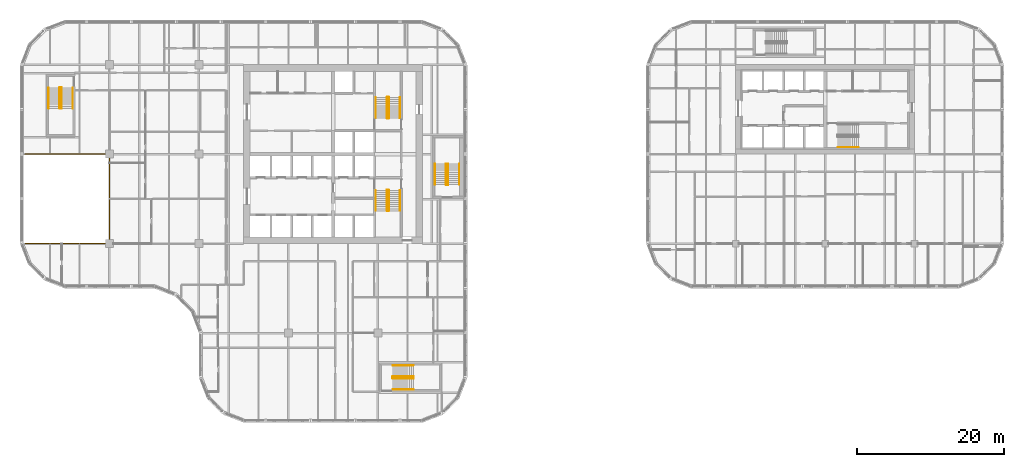
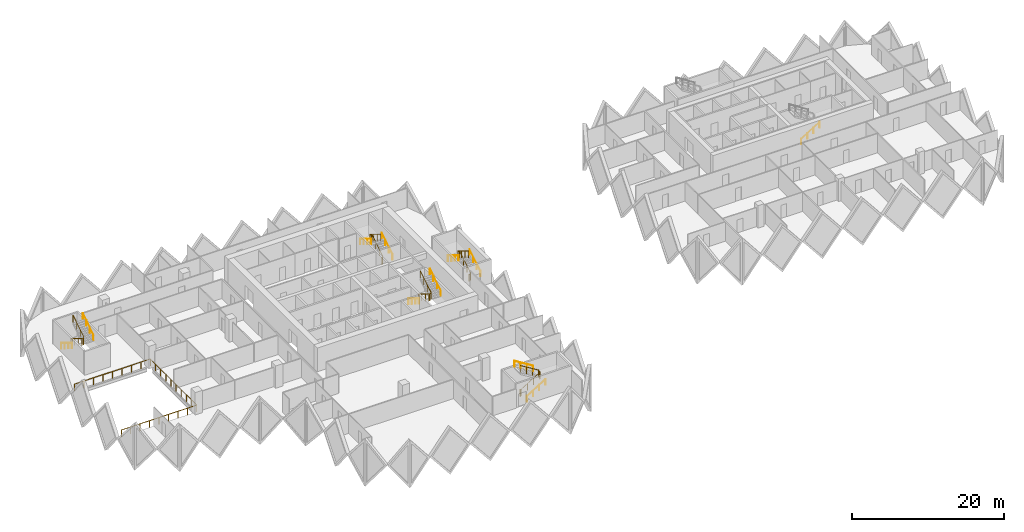
# One storey, part 18 of 19: 17 railings.
"""IFC4 building model written with IfcOpenShell, lengths in metres."""

import ifcopenshell
import ifcopenshell.guid

model = None  # the IFC model being written
_history = None  # IfcOwnerHistory: only IFC2X3 demands one
_inside = {}  # id of a spatial element -> (the spatial element, [elements in it])
_under = {}  # id of a project, library or spatial element -> (it, [spatial elements below it])
_declared = {}  # id of a project -> (the project, [libraries it declares])
_typed = {}  # id of a type object -> (the type object, [elements of that type])
_made_of = {}  # id of a material, layer set ... -> (it, [elements and type objects made of it])


def new_model(schema):
    """Start an empty IFC model of exactly this schema.

    Asked for "IFC4X3", IfcOpenShell would pick the latest addendum, in which some entities
    have other attributes; the version numbers below select the first issue.
    IFC2X3 requires an IfcOwnerHistory on every rooted entity: one is made here for all.
    """
    global model, _history
    if schema == "IFC4X3":
        model = ifcopenshell.file(schema_version=(4, 3, 0, 0))
    else:
        model = ifcopenshell.file(schema=schema)
    _inside.clear()
    _under.clear()
    _declared.clear()
    _typed.clear()
    _made_of.clear()
    _history = None
    if model.schema == "IFC2X3":
        org = make("IfcOrganization", Name="unknown")
        user = make(
            "IfcPersonAndOrganization",
            ThePerson=make("IfcPerson", FamilyName="unknown"),
            TheOrganization=org,
        )
        app = make(
            "IfcApplication",
            ApplicationDeveloper=org,
            Version="unknown",
            ApplicationFullName="unknown",
            ApplicationIdentifier="unknown",
        )
        _history = make(
            "IfcOwnerHistory",
            OwningUser=user,
            OwningApplication=app,
            ChangeAction="ADDED",
            CreationDate=0,
        )
    return model


def make(cls, **values):
    """One entity of the class cls with the attributes given. An attribute that is None is left unset."""
    return model.create_entity(
        cls, **{name: value for name, value in values.items() if value is not None}
    )


def rooted(cls, **values):
    """An entity with a GlobalId (a new one), such as an element, a storey or a relation."""
    return make(cls, GlobalId=ifcopenshell.guid.new(), OwnerHistory=_history, **values)


def si_unit(unit_type, name, prefix=None):
    """IfcSIUnit, for example si_unit("LENGTHUNIT", "METRE", prefix="MILLI")."""
    return make("IfcSIUnit", UnitType=unit_type, Prefix=prefix, Name=name)


def assignment(units):
    """IfcUnitAssignment: the units of a project."""
    return None if units is None else make("IfcUnitAssignment", Units=units)


def point(xyz):
    """IfcCartesianPoint."""
    return None if xyz is None else make("IfcCartesianPoint", Coordinates=xyz)


def direction(xyz):
    """IfcDirection."""
    return None if xyz is None else make("IfcDirection", DirectionRatios=xyz)


def frame(location, z_axis=None, x_axis=None):
    """IfcAxis2Placement3D, a coordinate frame: its origin and axes. An axis left out is left unset."""
    return make(
        "IfcAxis2Placement3D",
        Location=point(location),
        Axis=direction(z_axis),
        RefDirection=direction(x_axis),
    )


def frame_2d(location, x_axis=None):
    """IfcAxis2Placement2D, a coordinate frame in the plane: its origin and x axis."""
    return make(
        "IfcAxis2Placement2D", Location=point(location), RefDirection=direction(x_axis)
    )


def origin():
    """The frame at (0, 0, 0) with its axes left unset."""
    return frame((0.0, 0.0, 0.0))


def origin_2d():
    """The frame at (0, 0) in the plane with its x axis left unset."""
    return frame_2d((0.0, 0.0))


def place(relative_to, where):
    """IfcLocalPlacement: puts the frame where relative to a parent placement (None: the world)."""
    return make(
        "IfcLocalPlacement", PlacementRelTo=relative_to, RelativePlacement=where
    )


def context(
    kind, dimensions, precision=None, world=None, true_north=None, identifier=None
):
    """IfcGeometricRepresentationContext, for example the 3D "Model" context."""
    return make(
        "IfcGeometricRepresentationContext",
        ContextIdentifier=identifier,
        ContextType=kind,
        CoordinateSpaceDimension=dimensions,
        Precision=precision,
        WorldCoordinateSystem=world,
        TrueNorth=true_north,
    )


def subcontext(parent, identifier, kind, view, scale=None):
    """IfcGeometricRepresentationSubContext, for example "Body" below "Model"."""
    return make(
        "IfcGeometricRepresentationSubContext",
        ContextIdentifier=identifier,
        ContextType=kind,
        ParentContext=parent,
        TargetScale=scale,
        TargetView=view,
    )


def project(units=None, contexts=None):
    """IfcProject with its units and contexts."""
    return rooted(
        "IfcProject",
        Name="project",
        RepresentationContexts=contexts,
        UnitsInContext=assignment(units),
    )


def spatial(cls, under=None, at=None, **own):
    """A site, building, storey or space (cls), placed at a placement, below another one or the project."""
    s = rooted(cls, ObjectPlacement=at, **own)
    if under is not None:
        _under.setdefault(under.id(), (under, []))[1].append(s)
    return s


def profile(cls, at=None, kind="AREA", **sizes):
    """A parametric profile (cls). Its sizes go by their IFC names, for example OverallWidth=200.0."""
    return make(cls, ProfileType=kind, Position=at, **sizes)


def circle(**sizes):
    """IfcCircleProfileDef."""
    return profile("IfcCircleProfileDef", **sizes)


def extrude(swept, where, along, depth):
    """IfcExtrudedAreaSolid: the profile swept, set in the frame where, extruded along a direction by depth."""
    return make(
        "IfcExtrudedAreaSolid",
        SweptArea=swept,
        Position=where,
        ExtrudedDirection=direction(along),
        Depth=depth,
    )


def shape(context_of_items, identifier, shape_type, items):
    """IfcShapeRepresentation: the items that make up one representation, for example the "Body"."""
    return make(
        "IfcShapeRepresentation",
        ContextOfItems=context_of_items,
        RepresentationIdentifier=identifier,
        RepresentationType=shape_type,
        Items=items,
    )


def material(Name=None, Category=None):
    """IfcMaterial."""
    return make("IfcMaterial", Name=Name, Category=Category)


def made_of(thing, what):
    """Note that an element or type object is made of a material, layer set ...; save() writes the relation."""
    if what is not None:
        _made_of.setdefault(what.id(), (what, []))[1].append(thing)
    return thing


def type_object(cls, material=None, **own):
    """A type object (cls), such as IfcWallType, which elements share."""
    return made_of(rooted(cls, **own), material)


def element(
    cls,
    number,
    at=None,
    inside=None,
    cuts=None,
    type_object=None,
    material=None,
    context=None,
    identifier="Body",
    shape_type=None,
    held_by="IfcProductDefinitionShape",
    body=None,
    shapes=None,
    **own,
):
    """One element of the class cls, such as IfcWall. Its Tag is "e" and its number.

    at: its placement. inside: the storey or other place that contains it. cuts: it is an
    opening in that element (IfcRelVoidsElement). A single representation is given by context,
    identifier, shape_type and body (its items); several are given by shapes. held_by: the class
    of the entity that holds the representations. save() writes the other relations.
    """
    e = rooted(cls, Tag="e%d" % number, ObjectPlacement=at, **own)
    if body is not None:
        shapes = [shape(context, identifier, shape_type, body)]
    if shapes is not None:
        e.Representation = make(held_by, Representations=shapes)
    if inside is not None:
        _inside.setdefault(inside.id(), (inside, []))[1].append(e)
    if cuts is not None:
        rooted(
            "IfcRelVoidsElement", RelatingBuildingElement=cuts, RelatedOpeningElement=e
        )
    if type_object is not None:
        _typed.setdefault(type_object.id(), (type_object, []))[1].append(e)
    return made_of(e, material)


def aggregate(whole, parts):
    """IfcRelAggregates: a whole, such as a stair, and the parts it consists of."""
    return rooted("IfcRelAggregates", RelatingObject=whole, RelatedObjects=parts)


def save(model, path):
    """Write the relations noted so far, then the file.

    IfcRelAggregates (storeys below a building ...), IfcRelContainedInSpatialStructure (elements
    in a storey), IfcRelDefinesByType, IfcRelAssociatesMaterial and IfcRelDeclares: one each for
    every whole, place, type object, material and project.
    """
    for whole, parts in _under.values():
        aggregate(whole, parts)
    for where, things in _inside.values():
        rooted(
            "IfcRelContainedInSpatialStructure",
            RelatedElements=things,
            RelatingStructure=where,
        )
    for kind, things in _typed.values():
        rooted("IfcRelDefinesByType", RelatedObjects=things, RelatingType=kind)
    for what, things in _made_of.values():
        rooted("IfcRelAssociatesMaterial", RelatedObjects=things, RelatingMaterial=what)
    for by, libraries in _declared.values():
        rooted("IfcRelDeclares", RelatingContext=by, RelatedDefinitions=libraries)
    model.write(path)


model = new_model("IFC4")

# Units and contexts
model_context = context("Model", 3, precision=1e-05, world=origin(), true_north=direction((0.0, 1.0)))
body_context = subcontext(model_context, "Body", "Model", "MODEL_VIEW")
ifc_project = project(units=[si_unit("LENGTHUNIT", "METRE"), si_unit("AREAUNIT", "SQUARE_METRE"), si_unit("VOLUMEUNIT", "CUBIC_METRE"), si_unit("PLANEANGLEUNIT", "RADIAN"), si_unit("MASSUNIT", "GRAM", prefix="KILO")], contexts=[model_context])

# Site, building, storey
site_placement = place(None, origin())
site = spatial("IfcSite", under=ifc_project, at=site_placement, CompositionType="ELEMENT")
building_placement = place(site_placement, origin())
building = spatial("IfcBuilding", under=site, at=building_placement, Name="Tessera Gate Towers", CompositionType="ELEMENT")
storey_placement = place(building_placement, frame((0.0, 0.0, 33.39990234375)))
storey = spatial("IfcBuildingStorey", under=building, at=storey_placement, Name="L07", CompositionType="ELEMENT", Elevation=33.39990234375)

# Railings
ifc_material_1 = material(Name="Toughened glass with stainless steel handrail", Category="steel")
railing_type_1 = type_object("IfcRailingType", Name="GUARD 1100 GLASS BALUSTRADE", PredefinedType="GUARDRAIL", material=ifc_material_1)
railing_1_placement = place(storey_placement, frame((0.750244140625, 24.39990234375, 0.0)))
element("IfcRailing", 1, at=railing_1_placement, inside=storey, type_object=railing_type_1, Name="Guard", PredefinedType="GUARDRAIL", context=body_context, shape_type="SweptSolid", body=[
    extrude(circle(Radius=0.02490234375, at=origin_2d()), frame((0.0, 0.0, 1.0751953125), z_axis=(1.0, 0.0, 0.0), x_axis=(0.0, 1.0, 0.0)), (0.0, 0.0, 1.0), 11.44970703125),
    extrude(circle(Radius=0.02490234375, at=origin_2d()), frame((11.44970703125, 0.0, 1.0751953125), z_axis=(0.0, 1.0, 0.0), x_axis=(-1.0, 0.0, 0.0)), (0.0, 0.0, 1.0), 12.2001953125),
    extrude(circle(Radius=0.02490234375, at=origin_2d()), frame((11.44970703125, 12.2001953125, 1.0751953125), z_axis=(-1.0, 0.0, 0.0), x_axis=(0.0, -1.0, 0.0)), (0.0, 0.0, 1.0), 11.5),
    extrude(circle(Radius=0.02490234375, at=origin_2d()), origin(), (0.0, 0.0, 1.0), 1.050048828125),
    extrude(circle(Radius=0.02490234375, at=origin_2d()), frame((1.43115234375, 0.0, 0.0)), (0.0, 0.0, 1.0), 1.050048828125),
    extrude(circle(Radius=0.02490234375, at=origin_2d()), frame((2.8623046875, 0.0, 0.0)), (0.0, 0.0, 1.0), 1.050048828125),
    extrude(circle(Radius=0.02490234375, at=origin_2d()), frame((4.293701171875, 0.0, 0.0)), (0.0, 0.0, 1.0), 1.050048828125),
    extrude(circle(Radius=0.02490234375, at=origin_2d()), frame((5.724853515625, 0.0, 0.0)), (0.0, 0.0, 1.0), 1.050048828125),
    extrude(circle(Radius=0.02490234375, at=origin_2d()), frame((7.156005859375, 0.0, 0.0)), (0.0, 0.0, 1.0), 1.050048828125),
    extrude(circle(Radius=0.02490234375, at=origin_2d()), frame((8.58740234375, 0.0, 0.0)), (0.0, 0.0, 1.0), 1.050048828125),
    extrude(circle(Radius=0.02490234375, at=origin_2d()), frame((10.0185546875, 0.0, 0.0)), (0.0, 0.0, 1.0), 1.050048828125),
    extrude(circle(Radius=0.02490234375, at=origin_2d()), frame((11.44970703125, 0.0, 0.0)), (0.0, 0.0, 1.0), 1.050048828125),
    extrude(circle(Radius=0.02490234375, at=origin_2d()), frame((11.44970703125, 1.35546875, 0.0)), (0.0, 0.0, 1.0), 1.050048828125),
    extrude(circle(Radius=0.02490234375, at=origin_2d()), frame((11.44970703125, 2.711181640625, 0.0)), (0.0, 0.0, 1.0), 1.050048828125),
    extrude(circle(Radius=0.02490234375, at=origin_2d()), frame((11.44970703125, 4.066650390625, 0.0)), (0.0, 0.0, 1.0), 1.050048828125),
    extrude(circle(Radius=0.02490234375, at=origin_2d()), frame((11.44970703125, 5.42236328125, 0.0)), (0.0, 0.0, 1.0), 1.050048828125),
    extrude(circle(Radius=0.02490234375, at=origin_2d()), frame((11.44970703125, 6.77783203125, 0.0)), (0.0, 0.0, 1.0), 1.050048828125),
    extrude(circle(Radius=0.02490234375, at=origin_2d()), frame((11.44970703125, 8.133544921875, 0.0)), (0.0, 0.0, 1.0), 1.050048828125),
    extrude(circle(Radius=0.02490234375, at=origin_2d()), frame((11.44970703125, 9.489013671875, 0.0)), (0.0, 0.0, 1.0), 1.050048828125),
    extrude(circle(Radius=0.02490234375, at=origin_2d()), frame((11.44970703125, 10.8447265625, 0.0)), (0.0, 0.0, 1.0), 1.050048828125),
    extrude(circle(Radius=0.02490234375, at=origin_2d()), frame((11.44970703125, 12.2001953125, 0.0)), (0.0, 0.0, 1.0), 1.050048828125),
    extrude(circle(Radius=0.02490234375, at=origin_2d()), frame((10.01220703125, 12.2001953125, 0.0)), (0.0, 0.0, 1.0), 1.050048828125),
    extrude(circle(Radius=0.02490234375, at=origin_2d()), frame((8.57470703125, 12.2001953125, 0.0)), (0.0, 0.0, 1.0), 1.050048828125),
    extrude(circle(Radius=0.02490234375, at=origin_2d()), frame((7.13720703125, 12.2001953125, 0.0)), (0.0, 0.0, 1.0), 1.050048828125),
    extrude(circle(Radius=0.02490234375, at=origin_2d()), frame((5.69970703125, 12.2001953125, 0.0)), (0.0, 0.0, 1.0), 1.050048828125),
    extrude(circle(Radius=0.02490234375, at=origin_2d()), frame((4.26220703125, 12.2001953125, 0.0)), (0.0, 0.0, 1.0), 1.050048828125),
    extrude(circle(Radius=0.02490234375, at=origin_2d()), frame((2.82470703125, 12.2001953125, 0.0)), (0.0, 0.0, 1.0), 1.050048828125),
    extrude(circle(Radius=0.02490234375, at=origin_2d()), frame((1.38720703125, 12.2001953125, 0.0)), (0.0, 0.0, 1.0), 1.050048828125),
    extrude(circle(Radius=0.02490234375, at=origin_2d()), frame((-0.05029296875, 12.2001953125, 0.0)), (0.0, 0.0, 1.0), 1.050048828125),
])
ifc_material_2 = material(Name="Steel 350W", Category="steel")
railing_type_2 = type_object("IfcRailingType", Name="STAIR GUARD 1100", PredefinedType="GUARDRAIL", material=ifc_material_2)
railing_2_placement = place(storey_placement, frame((50.27490234375, 31.72509765625, 0.0)))
element("IfcRailing", 2, at=railing_2_placement, inside=storey, type_object=railing_type_2, Name="L07 ST1 stair guard 1", PredefinedType="GUARDRAIL", context=body_context, shape_type="SweptSolid", body=[
    extrude(circle(Radius=0.02392578125, at=origin_2d()), frame((0.0, 0.0, 1.076171875), z_axis=(-1.0, 0.0, 0.0), x_axis=(0.0, -1.0, 0.0)), (0.0, 0.0, 1.0), 0.199951171875),
    extrude(circle(Radius=0.02392578125, at=origin_2d()), frame((-0.199951171875, 0.0, 1.076171875), z_axis=(-0.267953482034, -0.267953482034, 0.925419830635), x_axis=(0.707106781187, -0.707106781187, 0.0)), (0.0, 0.0, 1.0), 0.186767578125),
    extrude(circle(Radius=0.02392578125, at=origin_2d()), frame((-0.25, -0.050048828125, 1.2490234375), z_axis=(0.0, -0.851089632645, 0.525020415988), x_axis=(1.0, 0.0, 0.0)), (0.0, 0.0, 1.0), 3.2900390625),
    extrude(circle(Radius=0.02392578125, at=origin_2d()), frame((-0.25, -2.85009765625, 2.97607421875), z_axis=(0.707106781187, -0.707106781187, 0.0), x_axis=(0.707106781187, 0.707106781187, 0.0)), (0.0, 0.0, 1.0), 0.07080078125),
    extrude(circle(Radius=0.02392578125, at=origin_2d()), frame((-0.199951171875, -2.900146484375, 2.97607421875), z_axis=(1.0, 0.0, 0.0), x_axis=(0.0, 1.0, 0.0)), (0.0, 0.0, 1.0), 0.199951171875),
    extrude(circle(Radius=0.02392578125, at=origin_2d()), frame((0.0, -2.900146484375, 2.97607421875), z_axis=(0.268277960024, 0.268277960024, 0.925231793839), x_axis=(-0.707106781187, 0.707106781187, 0.0)), (0.0, 0.0, 1.0), 0.1865234375),
    extrude(circle(Radius=0.02392578125, at=origin_2d()), frame((0.050048828125, -2.85009765625, 3.14892578125), z_axis=(0.0, 0.851089632645, 0.525020415988), x_axis=(-1.0, 0.0, 0.0)), (0.0, 0.0, 1.0), 3.2900390625),
    extrude(circle(Radius=0.02099609375, at=origin_2d()), origin(), (0.0, 0.0, 1.0), 1.052001953125),
    extrude(circle(Radius=0.02099609375, at=origin_2d()), frame((-0.199951171875, 0.0, 0.0)), (0.0, 0.0, 1.0), 1.052001953125),
    extrude(circle(Radius=0.02099609375, at=origin_2d()), frame((-0.25, -0.050048828125, 0.1728515625)), (0.0, 0.0, 1.0), 1.052001953125),
    extrude(circle(Radius=0.02099609375, at=origin_2d()), frame((-0.25, -0.9833984375, 0.74853515625)), (0.0, 0.0, 1.0), 1.052001953125),
    extrude(circle(Radius=0.02099609375, at=origin_2d()), frame((-0.25, -1.916748046875, 1.324462890625)), (0.0, 0.0, 1.0), 1.052001953125),
    extrude(circle(Radius=0.02099609375, at=origin_2d()), frame((-0.25, -2.85009765625, 1.900146484375)), (0.0, 0.0, 1.0), 1.052001953125),
    extrude(circle(Radius=0.02099609375, at=origin_2d()), frame((-0.199951171875, -2.900146484375, 1.900146484375)), (0.0, 0.0, 1.0), 1.052001953125),
    extrude(circle(Radius=0.02099609375, at=origin_2d()), frame((0.0, -2.900146484375, 1.900146484375)), (0.0, 0.0, 1.0), 1.052001953125),
    extrude(circle(Radius=0.02099609375, at=origin_2d()), frame((0.050048828125, -2.85009765625, 2.07275390625)), (0.0, 0.0, 1.0), 1.052001953125),
    extrude(circle(Radius=0.02099609375, at=origin_2d()), frame((0.050048828125, -1.916748046875, 2.6484375)), (0.0, 0.0, 1.0), 1.052001953125),
    extrude(circle(Radius=0.02099609375, at=origin_2d()), frame((0.050048828125, -0.9833984375, 3.224365234375)), (0.0, 0.0, 1.0), 1.052001953125),
    extrude(circle(Radius=0.02099609375, at=origin_2d()), frame((0.050048828125, -0.050048828125, 3.800048828125)), (0.0, 0.0, 1.0), 1.052001953125),
])
railing_3_placement = place(storey_placement, frame((50.074951171875, 41.47509765625, 0.0)))
element("IfcRailing", 3, at=railing_3_placement, inside=storey, type_object=railing_type_2, Name="L07 ST2 stair guard 1", PredefinedType="GUARDRAIL", context=body_context, shape_type="SweptSolid", body=[
    extrude(circle(Radius=0.02392578125, at=origin_2d()), frame((0.0, 0.0, 1.076171875), z_axis=(1.0, 0.0, 0.0), x_axis=(0.0, 1.0, 0.0)), (0.0, 0.0, 1.0), 0.199951171875),
    extrude(circle(Radius=0.02392578125, at=origin_2d()), frame((0.199951171875, 0.0, 1.076171875), z_axis=(0.268047150085, 0.266739603011, 0.925743328097), x_axis=(-0.705375805398, 0.708833529934, 0.0)), (0.0, 0.0, 1.0), 0.186767578125),
    extrude(circle(Radius=0.02392578125, at=origin_2d()), frame((0.25, 0.0498046875, 1.2490234375), z_axis=(0.0, 0.851089632645, 0.525020415988), x_axis=(-1.0, 0.0, 0.0)), (0.0, 0.0, 1.0), 3.2900390625),
    extrude(circle(Radius=0.02392578125, at=origin_2d()), frame((0.25, 2.849853515625, 2.97607421875), z_axis=(-0.707106781187, 0.707106781187, 0.0), x_axis=(-0.707106781187, -0.707106781187, 0.0)), (0.0, 0.0, 1.0), 0.07080078125),
    extrude(circle(Radius=0.02392578125, at=origin_2d()), frame((0.199951171875, 2.89990234375, 2.97607421875), z_axis=(-1.0, 0.0, 0.0), x_axis=(0.0, -1.0, 0.0)), (0.0, 0.0, 1.0), 0.199951171875),
    extrude(circle(Radius=0.02392578125, at=origin_2d()), frame((0.0, 2.89990234375, 2.97607421875), z_axis=(-0.268277960024, -0.268277960024, 0.925231793839), x_axis=(0.707106781187, -0.707106781187, 0.0)), (0.0, 0.0, 1.0), 0.1865234375),
    extrude(circle(Radius=0.02392578125, at=origin_2d()), frame((-0.050048828125, 2.849853515625, 3.14892578125), z_axis=(0.0, -0.851089632645, 0.525020415988), x_axis=(1.0, 0.0, 0.0)), (0.0, 0.0, 1.0), 3.2900390625),
    extrude(circle(Radius=0.02099609375, at=origin_2d()), origin(), (0.0, 0.0, 1.0), 1.052001953125),
    extrude(circle(Radius=0.02099609375, at=origin_2d()), frame((0.199951171875, 0.0, 0.0)), (0.0, 0.0, 1.0), 1.052001953125),
    extrude(circle(Radius=0.02099609375, at=origin_2d()), frame((0.25, 0.0498046875, 0.1728515625)), (0.0, 0.0, 1.0), 1.052001953125),
    extrude(circle(Radius=0.02099609375, at=origin_2d()), frame((0.25, 0.983154296875, 0.74853515625)), (0.0, 0.0, 1.0), 1.052001953125),
    extrude(circle(Radius=0.02099609375, at=origin_2d()), frame((0.25, 1.91650390625, 1.324462890625)), (0.0, 0.0, 1.0), 1.052001953125),
    extrude(circle(Radius=0.02099609375, at=origin_2d()), frame((0.25, 2.849853515625, 1.900146484375)), (0.0, 0.0, 1.0), 1.052001953125),
    extrude(circle(Radius=0.02099609375, at=origin_2d()), frame((0.199951171875, 2.89990234375, 1.900146484375)), (0.0, 0.0, 1.0), 1.052001953125),
    extrude(circle(Radius=0.02099609375, at=origin_2d()), frame((0.0, 2.89990234375, 1.900146484375)), (0.0, 0.0, 1.0), 1.052001953125),
    extrude(circle(Radius=0.02099609375, at=origin_2d()), frame((-0.050048828125, 2.849853515625, 2.07275390625)), (0.0, 0.0, 1.0), 1.052001953125),
    extrude(circle(Radius=0.02099609375, at=origin_2d()), frame((-0.050048828125, 1.91650390625, 2.6484375)), (0.0, 0.0, 1.0), 1.052001953125),
    extrude(circle(Radius=0.02099609375, at=origin_2d()), frame((-0.050048828125, 0.983154296875, 3.224365234375)), (0.0, 0.0, 1.0), 1.052001953125),
    extrude(circle(Radius=0.02099609375, at=origin_2d()), frame((-0.050048828125, 0.0498046875, 3.800048828125)), (0.0, 0.0, 1.0), 1.052001953125),
])
railing_4_placement = place(storey_placement, frame((5.64990234375, 45.699951171875, 0.0)))
element("IfcRailing", 4, at=railing_4_placement, inside=storey, type_object=railing_type_2, Name="L07 ST3 stair guard 1", PredefinedType="GUARDRAIL", context=body_context, shape_type="SweptSolid", body=[
    extrude(circle(Radius=0.02392578125, at=origin_2d()), frame((0.0, 0.0, 1.076171875), z_axis=(-1.0, 0.0, 0.0), x_axis=(0.0, -1.0, 0.0)), (0.0, 0.0, 1.0), 0.199951171875),
    extrude(circle(Radius=0.02392578125, at=origin_2d()), frame((-0.199951171875, 0.0, 1.076171875), z_axis=(-0.267953482034, -0.267953482034, 0.925419830635), x_axis=(0.707106781187, -0.707106781187, 0.0)), (0.0, 0.0, 1.0), 0.186767578125),
    extrude(circle(Radius=0.02392578125, at=origin_2d()), frame((-0.25, -0.050048828125, 1.2490234375), z_axis=(0.0, -0.851069175582, 0.525053576669), x_axis=(1.0, 0.0, 0.0)), (0.0, 0.0, 1.0), 3.289794921875),
    extrude(circle(Radius=0.02392578125, at=origin_2d()), frame((-0.25, -2.849853515625, 2.97607421875), z_axis=(0.707106781187, -0.707106781187, 0.0), x_axis=(0.707106781187, 0.707106781187, 0.0)), (0.0, 0.0, 1.0), 0.07080078125),
    extrude(circle(Radius=0.02392578125, at=origin_2d()), frame((-0.199951171875, -2.89990234375, 2.97607421875), z_axis=(1.0, 0.0, 0.0), x_axis=(0.0, 1.0, 0.0)), (0.0, 0.0, 1.0), 0.199951171875),
    extrude(circle(Radius=0.02392578125, at=origin_2d()), frame((0.0, -2.89990234375, 2.97607421875), z_axis=(0.268277960024, 0.268277960024, 0.925231793839), x_axis=(-0.707106781187, 0.707106781187, 0.0)), (0.0, 0.0, 1.0), 0.1865234375),
    extrude(circle(Radius=0.02392578125, at=origin_2d()), frame((0.050048828125, -2.849853515625, 3.14892578125), z_axis=(0.0, 0.851069175582, 0.525053576669), x_axis=(-1.0, 0.0, 0.0)), (0.0, 0.0, 1.0), 3.289794921875),
    extrude(circle(Radius=0.02099609375, at=origin_2d()), origin(), (0.0, 0.0, 1.0), 1.052001953125),
    extrude(circle(Radius=0.02099609375, at=origin_2d()), frame((-0.199951171875, 0.0, 0.0)), (0.0, 0.0, 1.0), 1.052001953125),
    extrude(circle(Radius=0.02099609375, at=origin_2d()), frame((-0.25, -0.050048828125, 0.1728515625)), (0.0, 0.0, 1.0), 1.052001953125),
    extrude(circle(Radius=0.02099609375, at=origin_2d()), frame((-0.25, -0.9833984375, 0.74853515625)), (0.0, 0.0, 1.0), 1.052001953125),
    extrude(circle(Radius=0.02099609375, at=origin_2d()), frame((-0.25, -1.91650390625, 1.324462890625)), (0.0, 0.0, 1.0), 1.052001953125),
    extrude(circle(Radius=0.02099609375, at=origin_2d()), frame((-0.25, -2.849853515625, 1.900146484375)), (0.0, 0.0, 1.0), 1.052001953125),
    extrude(circle(Radius=0.02099609375, at=origin_2d()), frame((-0.199951171875, -2.89990234375, 1.900146484375)), (0.0, 0.0, 1.0), 1.052001953125),
    extrude(circle(Radius=0.02099609375, at=origin_2d()), frame((0.0, -2.89990234375, 1.900146484375)), (0.0, 0.0, 1.0), 1.052001953125),
    extrude(circle(Radius=0.02099609375, at=origin_2d()), frame((0.050048828125, -2.849853515625, 2.07275390625)), (0.0, 0.0, 1.0), 1.052001953125),
    extrude(circle(Radius=0.02099609375, at=origin_2d()), frame((0.050048828125, -1.91650390625, 2.6484375)), (0.0, 0.0, 1.0), 1.052001953125),
    extrude(circle(Radius=0.02099609375, at=origin_2d()), frame((0.050048828125, -0.9833984375, 3.224365234375)), (0.0, 0.0, 1.0), 1.052001953125),
    extrude(circle(Radius=0.02099609375, at=origin_2d()), frame((0.050048828125, -0.050048828125, 3.800048828125)), (0.0, 0.0, 1.0), 1.052001953125),
])
railing_5_placement = place(storey_placement, frame((50.800048828125, 6.25, 0.0)))
element("IfcRailing", 5, at=railing_5_placement, inside=storey, type_object=railing_type_2, Name="L07 ST4 stair guard 1", PredefinedType="GUARDRAIL", context=body_context, shape_type="SweptSolid", body=[
    extrude(circle(Radius=0.02392578125, at=origin_2d()), frame((0.0, 0.0, 1.076171875), z_axis=(0.0, -1.0, 0.0), x_axis=(1.0, 0.0, 0.0)), (0.0, 0.0, 1.0), 0.199951171875),
    extrude(circle(Radius=0.02392578125, at=origin_2d()), frame((0.0, -0.199951171875, 1.076171875), z_axis=(0.267953482034, -0.267953482034, 0.925419830635), x_axis=(0.707106781187, 0.707106781187, 0.0)), (0.0, 0.0, 1.0), 0.186767578125),
    extrude(circle(Radius=0.02392578125, at=origin_2d()), frame((0.050048828125, -0.25, 1.2490234375), z_axis=(0.851069175582, 0.0, 0.525053576669), x_axis=(0.0, 1.0, 0.0)), (0.0, 0.0, 1.0), 3.289794921875),
    extrude(circle(Radius=0.02392578125, at=origin_2d()), frame((2.849853515625, -0.25, 2.97607421875), z_axis=(0.707106781187, 0.707106781187, 0.0), x_axis=(-0.707106781187, 0.707106781187, 0.0)), (0.0, 0.0, 1.0), 0.07080078125),
    extrude(circle(Radius=0.02392578125, at=origin_2d()), frame((2.89990234375, -0.199951171875, 2.97607421875), z_axis=(0.0, 1.0, 0.0), x_axis=(-1.0, 0.0, 0.0)), (0.0, 0.0, 1.0), 0.199951171875),
    extrude(circle(Radius=0.02392578125, at=origin_2d()), frame((2.89990234375, 0.0, 2.97607421875), z_axis=(-0.268277960024, 0.268277960024, 0.925231793839), x_axis=(-0.707106781187, -0.707106781187, 0.0)), (0.0, 0.0, 1.0), 0.1865234375),
    extrude(circle(Radius=0.02392578125, at=origin_2d()), frame((2.849853515625, 0.050048828125, 3.14892578125), z_axis=(-0.851069175582, 0.0, 0.525053576669), x_axis=(0.0, -1.0, 0.0)), (0.0, 0.0, 1.0), 3.289794921875),
    extrude(circle(Radius=0.02099609375, at=origin_2d()), origin(), (0.0, 0.0, 1.0), 1.052001953125),
    extrude(circle(Radius=0.02099609375, at=origin_2d()), frame((0.0, -0.199951171875, 0.0)), (0.0, 0.0, 1.0), 1.052001953125),
    extrude(circle(Radius=0.02099609375, at=origin_2d()), frame((0.050048828125, -0.25, 0.1728515625)), (0.0, 0.0, 1.0), 1.052001953125),
    extrude(circle(Radius=0.02099609375, at=origin_2d()), frame((0.9833984375, -0.25, 0.74853515625)), (0.0, 0.0, 1.0), 1.052001953125),
    extrude(circle(Radius=0.02099609375, at=origin_2d()), frame((1.91650390625, -0.25, 1.324462890625)), (0.0, 0.0, 1.0), 1.052001953125),
    extrude(circle(Radius=0.02099609375, at=origin_2d()), frame((2.849853515625, -0.25, 1.900146484375)), (0.0, 0.0, 1.0), 1.052001953125),
    extrude(circle(Radius=0.02099609375, at=origin_2d()), frame((2.89990234375, -0.199951171875, 1.900146484375)), (0.0, 0.0, 1.0), 1.052001953125),
    extrude(circle(Radius=0.02099609375, at=origin_2d()), frame((2.89990234375, 0.0, 1.900146484375)), (0.0, 0.0, 1.0), 1.052001953125),
    extrude(circle(Radius=0.02099609375, at=origin_2d()), frame((2.849853515625, 0.050048828125, 2.07275390625)), (0.0, 0.0, 1.0), 1.052001953125),
    extrude(circle(Radius=0.02099609375, at=origin_2d()), frame((1.91650390625, 0.050048828125, 2.6484375)), (0.0, 0.0, 1.0), 1.052001953125),
    extrude(circle(Radius=0.02099609375, at=origin_2d()), frame((0.9833984375, 0.050048828125, 3.224365234375)), (0.0, 0.0, 1.0), 1.052001953125),
    extrude(circle(Radius=0.02099609375, at=origin_2d()), frame((0.050048828125, 0.050048828125, 3.800048828125)), (0.0, 0.0, 1.0), 1.052001953125),
])
railing_6_placement = place(storey_placement, frame((58.14990234375, 32.39990234375, 0.0)))
element("IfcRailing", 6, at=railing_6_placement, inside=storey, type_object=railing_type_2, Name="L07 ST5 stair guard 1", PredefinedType="GUARDRAIL", context=body_context, shape_type="SweptSolid", body=[
    extrude(circle(Radius=0.02392578125, at=origin_2d()), frame((0.0, 0.0, 1.076171875), z_axis=(1.0, 0.0, 0.0), x_axis=(0.0, 1.0, 0.0)), (0.0, 0.0, 1.0), 0.2001953125),
    extrude(circle(Radius=0.02392578125, at=origin_2d()), frame((0.2001953125, 0.0, 1.076171875), z_axis=(0.266739603011, 0.268047150085, 0.925743328097), x_axis=(-0.708833529934, 0.705375805398, 0.0)), (0.0, 0.0, 1.0), 0.186767578125),
    extrude(circle(Radius=0.02392578125, at=origin_2d()), frame((0.25, 0.050048828125, 1.2490234375), z_axis=(0.0, 0.851089632645, 0.525020415988), x_axis=(-1.0, 0.0, 0.0)), (0.0, 0.0, 1.0), 3.2900390625),
    extrude(circle(Radius=0.02392578125, at=origin_2d()), frame((0.25, 2.85009765625, 2.97607421875), z_axis=(-0.705375805398, 0.708833529934, 0.0), x_axis=(-0.708833529934, -0.705375805398, 0.0)), (0.0, 0.0, 1.0), 0.070556640625),
    extrude(circle(Radius=0.02392578125, at=origin_2d()), frame((0.2001953125, 2.900146484375, 2.97607421875), z_axis=(-1.0, 0.0, 0.0), x_axis=(0.0, -1.0, 0.0)), (0.0, 0.0, 1.0), 0.2001953125),
    extrude(circle(Radius=0.02392578125, at=origin_2d()), frame((0.0, 2.900146484375, 2.97607421875), z_axis=(-0.267062837333, -0.268371968888, 0.925556009775), x_axis=(0.708833529934, -0.705375805398, 0.0)), (0.0, 0.0, 1.0), 0.1865234375),
    extrude(circle(Radius=0.02392578125, at=origin_2d()), frame((-0.0498046875, 2.85009765625, 3.14892578125), z_axis=(0.0, -0.851089632645, 0.525020415988), x_axis=(1.0, 0.0, 0.0)), (0.0, 0.0, 1.0), 3.2900390625),
    extrude(circle(Radius=0.02099609375, at=origin_2d()), origin(), (0.0, 0.0, 1.0), 1.052001953125),
    extrude(circle(Radius=0.02099609375, at=origin_2d()), frame((0.2001953125, 0.0, 0.0)), (0.0, 0.0, 1.0), 1.052001953125),
    extrude(circle(Radius=0.02099609375, at=origin_2d()), frame((0.25, 0.050048828125, 0.1728515625)), (0.0, 0.0, 1.0), 1.052001953125),
    extrude(circle(Radius=0.02099609375, at=origin_2d()), frame((0.25, 0.9833984375, 0.74853515625)), (0.0, 0.0, 1.0), 1.052001953125),
    extrude(circle(Radius=0.02099609375, at=origin_2d()), frame((0.25, 1.916748046875, 1.324462890625)), (0.0, 0.0, 1.0), 1.052001953125),
    extrude(circle(Radius=0.02099609375, at=origin_2d()), frame((0.25, 2.85009765625, 1.900146484375)), (0.0, 0.0, 1.0), 1.052001953125),
    extrude(circle(Radius=0.02099609375, at=origin_2d()), frame((0.2001953125, 2.900146484375, 1.900146484375)), (0.0, 0.0, 1.0), 1.052001953125),
    extrude(circle(Radius=0.02099609375, at=origin_2d()), frame((0.0, 2.900146484375, 1.900146484375)), (0.0, 0.0, 1.0), 1.052001953125),
    extrude(circle(Radius=0.02099609375, at=origin_2d()), frame((-0.0498046875, 2.85009765625, 2.07275390625)), (0.0, 0.0, 1.0), 1.052001953125),
    extrude(circle(Radius=0.02099609375, at=origin_2d()), frame((-0.0498046875, 1.916748046875, 2.6484375)), (0.0, 0.0, 1.0), 1.052001953125),
    extrude(circle(Radius=0.02099609375, at=origin_2d()), frame((-0.0498046875, 0.9833984375, 3.224365234375)), (0.0, 0.0, 1.0), 1.052001953125),
    extrude(circle(Radius=0.02099609375, at=origin_2d()), frame((-0.0498046875, 0.050048828125, 3.800048828125)), (0.0, 0.0, 1.0), 1.052001953125),
])
ifc_material_3 = material(Name="Steel 350W", Category="steel")
railing_type_3 = type_object("IfcRailingType", Name="STAIR HANDRAIL 900", PredefinedType="HANDRAIL", material=ifc_material_3)
railing_7_placement = place(storey_placement, frame((48.52490234375, 31.675048828125, 0.1728515625)))
element("IfcRailing", 7, at=railing_7_placement, inside=storey, type_object=railing_type_3, Name="L07 ST1 stair handrail 1", PredefinedType="HANDRAIL", context=body_context, shape_type="SweptSolid", body=[
    extrude(circle(Radius=0.02392578125, at=origin_2d()), frame((0.0, 0.0, 0.8759765625), z_axis=(0.0, -0.851089632645, 0.525020415988), x_axis=(1.0, 0.0, 0.0)), (0.0, 0.0, 1.0), 3.2900390625),
    extrude(circle(Radius=0.02099609375, at=origin_2d()), origin(), (0.0, 0.0, 1.0), 0.851806640625),
    extrude(circle(Radius=0.02099609375, at=origin_2d()), frame((0.0, -0.933349609375, 0.57568359375)), (0.0, 0.0, 1.0), 0.851806640625),
    extrude(circle(Radius=0.02099609375, at=origin_2d()), frame((0.0, -1.86669921875, 1.151611328125)), (0.0, 0.0, 1.0), 0.851806640625),
    extrude(circle(Radius=0.02099609375, at=origin_2d()), frame((0.0, -2.800048828125, 1.727294921875)), (0.0, 0.0, 1.0), 0.851806640625),
])
for number, where, name in (
    (8, (51.824951171875, 28.875, 2.07275390625), "L07 ST1 stair handrail 2"),
    (9, (51.824951171875, 41.52490234375, 0.1728515625), "L07 ST2 stair handrail 1"),
):
    element("IfcRailing", number, at=place(storey_placement, frame(where)), inside=storey, type_object=railing_type_3, Name=name, PredefinedType="HANDRAIL", context=body_context, shape_type="SweptSolid", body=[
        extrude(circle(Radius=0.02392578125, at=origin_2d()), frame((0.0, 0.0, 0.8759765625), z_axis=(0.0, 0.851089632645, 0.525020415988), x_axis=(-1.0, 0.0, 0.0)), (0.0, 0.0, 1.0), 3.2900390625),
        extrude(circle(Radius=0.02099609375, at=origin_2d()), origin(), (0.0, 0.0, 1.0), 0.851806640625),
        extrude(circle(Radius=0.02099609375, at=origin_2d()), frame((0.0, 0.933349609375, 0.57568359375)), (0.0, 0.0, 1.0), 0.851806640625),
        extrude(circle(Radius=0.02099609375, at=origin_2d()), frame((0.0, 1.86669921875, 1.151611328125)), (0.0, 0.0, 1.0), 0.851806640625),
        extrude(circle(Radius=0.02099609375, at=origin_2d()), frame((0.0, 2.800048828125, 1.727294921875)), (0.0, 0.0, 1.0), 0.851806640625),
    ])
railing_8_placement = place(storey_placement, frame((48.52490234375, 44.324951171875, 2.07275390625)))
element("IfcRailing", 10, at=railing_8_placement, inside=storey, type_object=railing_type_3, Name="L07 ST2 stair handrail 2", PredefinedType="HANDRAIL", context=body_context, shape_type="SweptSolid", body=[
    extrude(circle(Radius=0.02392578125, at=origin_2d()), frame((0.0, 0.0, 0.8759765625), z_axis=(0.0, -0.851089632645, 0.525020415988), x_axis=(1.0, 0.0, 0.0)), (0.0, 0.0, 1.0), 3.2900390625),
    extrude(circle(Radius=0.02099609375, at=origin_2d()), origin(), (0.0, 0.0, 1.0), 0.851806640625),
    extrude(circle(Radius=0.02099609375, at=origin_2d()), frame((0.0, -0.933349609375, 0.57568359375)), (0.0, 0.0, 1.0), 0.851806640625),
    extrude(circle(Radius=0.02099609375, at=origin_2d()), frame((0.0, -1.86669921875, 1.151611328125)), (0.0, 0.0, 1.0), 0.851806640625),
    extrude(circle(Radius=0.02099609375, at=origin_2d()), frame((0.0, -2.800048828125, 1.727294921875)), (0.0, 0.0, 1.0), 0.851806640625),
])
railing_9_placement = place(storey_placement, frame((3.89990234375, 45.64990234375, 0.1728515625)))
element("IfcRailing", 11, at=railing_9_placement, inside=storey, type_object=railing_type_3, Name="L07 ST3 stair handrail 1", PredefinedType="HANDRAIL", context=body_context, shape_type="SweptSolid", body=[
    extrude(circle(Radius=0.02392578125, at=origin_2d()), frame((0.0, 0.0, 0.8759765625), z_axis=(0.0, -0.851069175582, 0.525053576669), x_axis=(1.0, 0.0, 0.0)), (0.0, 0.0, 1.0), 3.289794921875),
    extrude(circle(Radius=0.02099609375, at=origin_2d()), origin(), (0.0, 0.0, 1.0), 0.851806640625),
    extrude(circle(Radius=0.02099609375, at=origin_2d()), frame((0.0, -0.933349609375, 0.57568359375)), (0.0, 0.0, 1.0), 0.851806640625),
    extrude(circle(Radius=0.02099609375, at=origin_2d()), frame((0.0, -1.866455078125, 1.151611328125)), (0.0, 0.0, 1.0), 0.851806640625),
    extrude(circle(Radius=0.02099609375, at=origin_2d()), frame((0.0, -2.7998046875, 1.727294921875)), (0.0, 0.0, 1.0), 0.851806640625),
])
railing_10_placement = place(storey_placement, frame((7.199951171875, 42.85009765625, 2.07275390625)))
element("IfcRailing", 12, at=railing_10_placement, inside=storey, type_object=railing_type_3, Name="L07 ST3 stair handrail 2", PredefinedType="HANDRAIL", context=body_context, shape_type="SweptSolid", body=[
    extrude(circle(Radius=0.02392578125, at=origin_2d()), frame((0.0, 0.0, 0.8759765625), z_axis=(0.0, 0.851069175582, 0.525053576669), x_axis=(-1.0, 0.0, 0.0)), (0.0, 0.0, 1.0), 3.289794921875),
    extrude(circle(Radius=0.02099609375, at=origin_2d()), origin(), (0.0, 0.0, 1.0), 0.851806640625),
    extrude(circle(Radius=0.02099609375, at=origin_2d()), frame((0.0, 0.933349609375, 0.57568359375)), (0.0, 0.0, 1.0), 0.851806640625),
    extrude(circle(Radius=0.02099609375, at=origin_2d()), frame((0.0, 1.866455078125, 1.151611328125)), (0.0, 0.0, 1.0), 0.851806640625),
    extrude(circle(Radius=0.02099609375, at=origin_2d()), frame((0.0, 2.7998046875, 1.727294921875)), (0.0, 0.0, 1.0), 0.851806640625),
])
railing_11_placement = place(storey_placement, frame((50.85009765625, 4.5, 0.1728515625)))
element("IfcRailing", 13, at=railing_11_placement, inside=storey, type_object=railing_type_3, Name="L07 ST4 stair handrail 1", PredefinedType="HANDRAIL", context=body_context, shape_type="SweptSolid", body=[
    extrude(circle(Radius=0.02392578125, at=origin_2d()), frame((0.0, 0.0, 0.8759765625), z_axis=(0.851069175582, 0.0, 0.525053576669), x_axis=(0.0, 1.0, 0.0)), (0.0, 0.0, 1.0), 3.289794921875),
    extrude(circle(Radius=0.02099609375, at=origin_2d()), origin(), (0.0, 0.0, 1.0), 0.851806640625),
    extrude(circle(Radius=0.02099609375, at=origin_2d()), frame((0.933349609375, 0.0, 0.57568359375)), (0.0, 0.0, 1.0), 0.851806640625),
    extrude(circle(Radius=0.02099609375, at=origin_2d()), frame((1.866455078125, 0.0, 1.151611328125)), (0.0, 0.0, 1.0), 0.851806640625),
    extrude(circle(Radius=0.02099609375, at=origin_2d()), frame((2.7998046875, 0.0, 1.727294921875)), (0.0, 0.0, 1.0), 0.851806640625),
])
railing_12_placement = place(storey_placement, frame((53.64990234375, 7.800048828125, 2.07275390625)))
element("IfcRailing", 14, at=railing_12_placement, inside=storey, type_object=railing_type_3, Name="L07 ST4 stair handrail 2", PredefinedType="HANDRAIL", context=body_context, shape_type="SweptSolid", body=[
    extrude(circle(Radius=0.02392578125, at=origin_2d()), frame((0.0, 0.0, 0.8759765625), z_axis=(-0.851069175582, 0.0, 0.525053576669), x_axis=(0.0, -1.0, 0.0)), (0.0, 0.0, 1.0), 3.289794921875),
    extrude(circle(Radius=0.02099609375, at=origin_2d()), origin(), (0.0, 0.0, 1.0), 0.851806640625),
    extrude(circle(Radius=0.02099609375, at=origin_2d()), frame((-0.933349609375, 0.0, 0.57568359375)), (0.0, 0.0, 1.0), 0.851806640625),
    extrude(circle(Radius=0.02099609375, at=origin_2d()), frame((-1.866455078125, 0.0, 1.151611328125)), (0.0, 0.0, 1.0), 0.851806640625),
    extrude(circle(Radius=0.02099609375, at=origin_2d()), frame((-2.7998046875, 0.0, 1.727294921875)), (0.0, 0.0, 1.0), 0.851806640625),
])
railing_13_placement = place(storey_placement, frame((59.89990234375, 32.449951171875, 0.1728515625)))
element("IfcRailing", 15, at=railing_13_placement, inside=storey, type_object=railing_type_3, Name="L07 ST5 stair handrail 1", PredefinedType="HANDRAIL", context=body_context, shape_type="SweptSolid", body=[
    extrude(circle(Radius=0.02392578125, at=origin_2d()), frame((0.0, 0.0, 0.8759765625), z_axis=(0.0, 0.851089632645, 0.525020415988), x_axis=(-1.0, 0.0, 0.0)), (0.0, 0.0, 1.0), 3.2900390625),
    extrude(circle(Radius=0.02099609375, at=origin_2d()), origin(), (0.0, 0.0, 1.0), 0.851806640625),
    extrude(circle(Radius=0.02099609375, at=origin_2d()), frame((0.0, 0.933349609375, 0.57568359375)), (0.0, 0.0, 1.0), 0.851806640625),
    extrude(circle(Radius=0.02099609375, at=origin_2d()), frame((0.0, 1.86669921875, 1.151611328125)), (0.0, 0.0, 1.0), 0.851806640625),
    extrude(circle(Radius=0.02099609375, at=origin_2d()), frame((0.0, 2.800048828125, 1.727294921875)), (0.0, 0.0, 1.0), 0.851806640625),
])
railing_14_placement = place(storey_placement, frame((56.60009765625, 35.25, 2.07275390625)))
element("IfcRailing", 16, at=railing_14_placement, inside=storey, type_object=railing_type_3, Name="L07 ST5 stair handrail 2", PredefinedType="HANDRAIL", context=body_context, shape_type="SweptSolid", body=[
    extrude(circle(Radius=0.02392578125, at=origin_2d()), frame((0.0, 0.0, 0.8759765625), z_axis=(0.0, -0.851089632645, 0.525020415988), x_axis=(1.0, 0.0, 0.0)), (0.0, 0.0, 1.0), 3.2900390625),
    extrude(circle(Radius=0.02099609375, at=origin_2d()), origin(), (0.0, 0.0, 1.0), 0.851806640625),
    extrude(circle(Radius=0.02099609375, at=origin_2d()), frame((0.0, -0.933349609375, 0.57568359375)), (0.0, 0.0, 1.0), 0.851806640625),
    extrude(circle(Radius=0.02099609375, at=origin_2d()), frame((0.0, -1.86669921875, 1.151611328125)), (0.0, 0.0, 1.0), 0.851806640625),
    extrude(circle(Radius=0.02099609375, at=origin_2d()), frame((0.0, -2.800048828125, 1.727294921875)), (0.0, 0.0, 1.0), 0.851806640625),
])
railing_15_placement = place(storey_placement, frame((111.550048828125, 37.550048828125, 0.1728515625)))
element("IfcRailing", 17, at=railing_15_placement, inside=storey, type_object=railing_type_3, Name="L07 ST6 stair handrail 1", PredefinedType="HANDRAIL", context=body_context, shape_type="SweptSolid", body=[
    extrude(circle(Radius=0.02392578125, at=origin_2d()), frame((0.0, 0.0, 0.8759765625), z_axis=(0.851089632645, 0.0, 0.525020415988), x_axis=(0.0, 1.0, 0.0)), (0.0, 0.0, 1.0), 3.2900390625),
    extrude(circle(Radius=0.02099609375, at=origin_2d()), origin(), (0.0, 0.0, 1.0), 0.851806640625),
    extrude(circle(Radius=0.02099609375, at=origin_2d()), frame((0.933349609375, 0.0, 0.57568359375)), (0.0, 0.0, 1.0), 0.851806640625),
    extrude(circle(Radius=0.02099609375, at=origin_2d()), frame((1.86669921875, 0.0, 1.151611328125)), (0.0, 0.0, 1.0), 0.851806640625),
    extrude(circle(Radius=0.02099609375, at=origin_2d()), frame((2.800048828125, 0.0, 1.727294921875)), (0.0, 0.0, 1.0), 0.851806640625),
])

save(model, "model.ifc")
